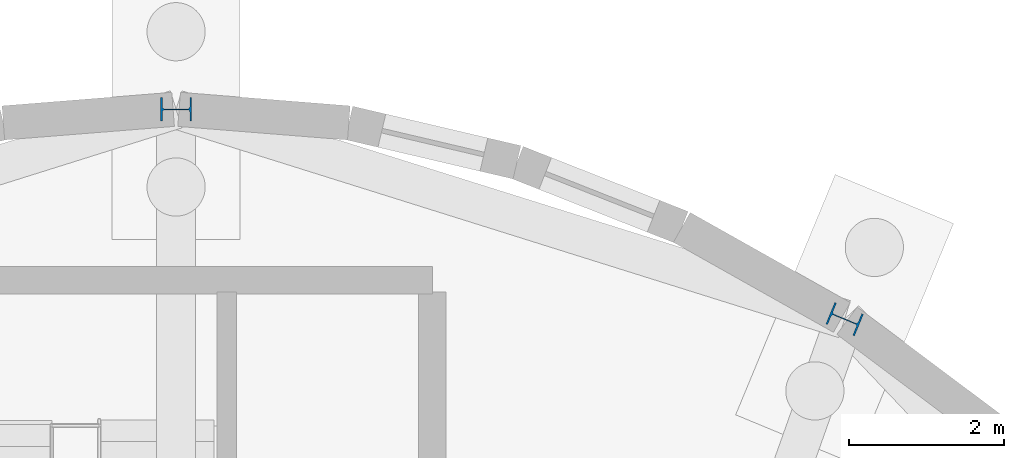
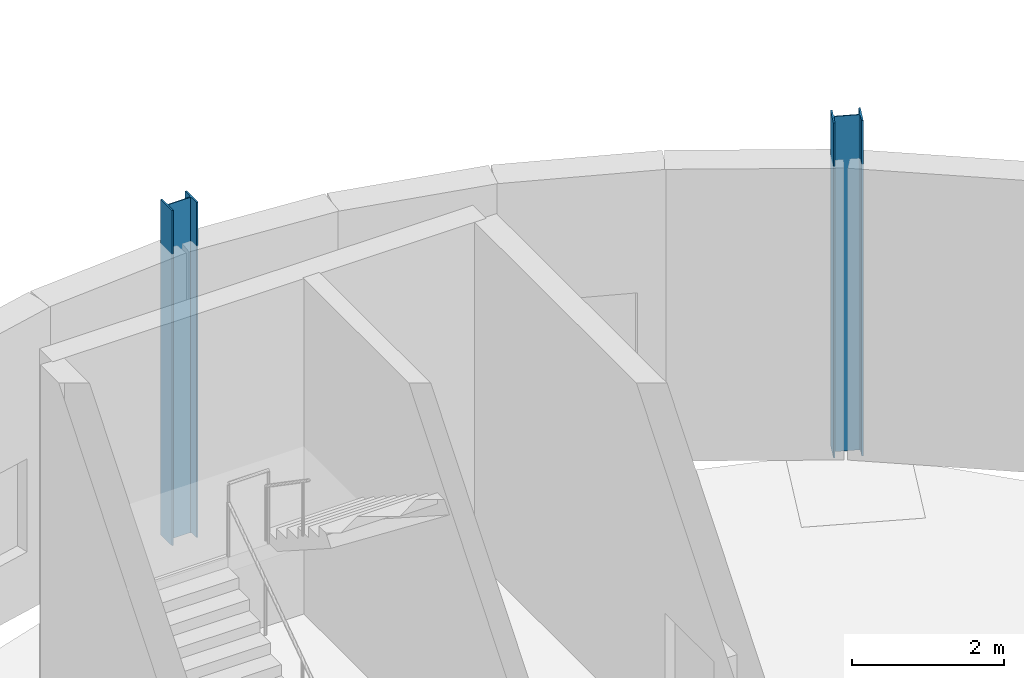
# One storey, part 51 of 118: 2 columns.
"""IFC4 building model written with IfcOpenShell, lengths in metres."""

from ifc_helpers import new_model, si_unit, direction, frame, origin, origin_2d, place, context, subcontext, project, spatial, i_section, extrude, material, material_profile, profile_set, type_object, element, save


model = new_model("IFC4")

# Units and contexts
model_context = context("Model", 3, precision=1e-05, world=origin(), true_north=direction((0.0, 1.0)))
body_context = subcontext(model_context, "Body", "Model", "MODEL_VIEW")
ifc_project = project(units=[si_unit("LENGTHUNIT", "METRE"), si_unit("AREAUNIT", "SQUARE_METRE"), si_unit("VOLUMEUNIT", "CUBIC_METRE"), si_unit("PLANEANGLEUNIT", "RADIAN"), si_unit("MASSUNIT", "GRAM", prefix="KILO")], contexts=[model_context])

# Site, building, storey
site_placement = place(None, origin())
site = spatial("IfcSite", under=ifc_project, at=site_placement, CompositionType="ELEMENT")
building_placement = place(site_placement, origin())
building = spatial("IfcBuilding", under=site, at=building_placement, Name="Kildeholm Park Wholesale Market", CompositionType="ELEMENT")
storey_placement = place(building_placement, origin())
storey = spatial("IfcBuildingStorey", under=building, at=storey_placement, Name="L00", CompositionType="ELEMENT", Elevation=0.0)

# Columns
ifc_material = material(Name="Steel S355", Category="steel")
ifc_material_profile = material_profile(ifc_material, i_section(OverallWidth=0.300048828125, OverallDepth=0.39990234375, WebThickness=0.013427734375, FlangeThickness=0.02392578125, FilletRadius=0.027099609375, at=origin_2d()), Name="HEB 400")
ifc_profile_set = profile_set([ifc_material_profile], Name="Steel S355")
column_type = type_object("IfcColumnType", Name="Column C-S05 HEB 400", PredefinedType="COLUMN", material=ifc_profile_set)
for number, where, z_axis, x_axis, name in (
    (1, (196.610107421875, 127.298095703125, 0.0), (0.0, 0.0, 1.0), (0.382683432365, 0.923879532511, 0.0), "Column V2-OT-03 L00 COL-0235"),
    (2, (188.0, 130.0, 0.0), (0.0, 0.0, 1.0), (0.0, 1.0, 0.0), "Column V2-OT-04 L00 COL-0240"),
):
    element("IfcColumn", number, at=place(storey_placement, frame(where, z_axis=z_axis, x_axis=x_axis)), inside=storey, type_object=column_type, Name=name, PredefinedType="COLUMN", context=body_context, shape_type="SweptSolid", body=[
        extrude(i_section(OverallWidth=0.300048828125, OverallDepth=0.39990234375, WebThickness=0.013427734375, FlangeThickness=0.02392578125, FilletRadius=0.027099609375, at=origin_2d()), origin(), (0.0, 0.0, 1.0), 5.39990234375),
    ])

save(model, "model.ifc")
